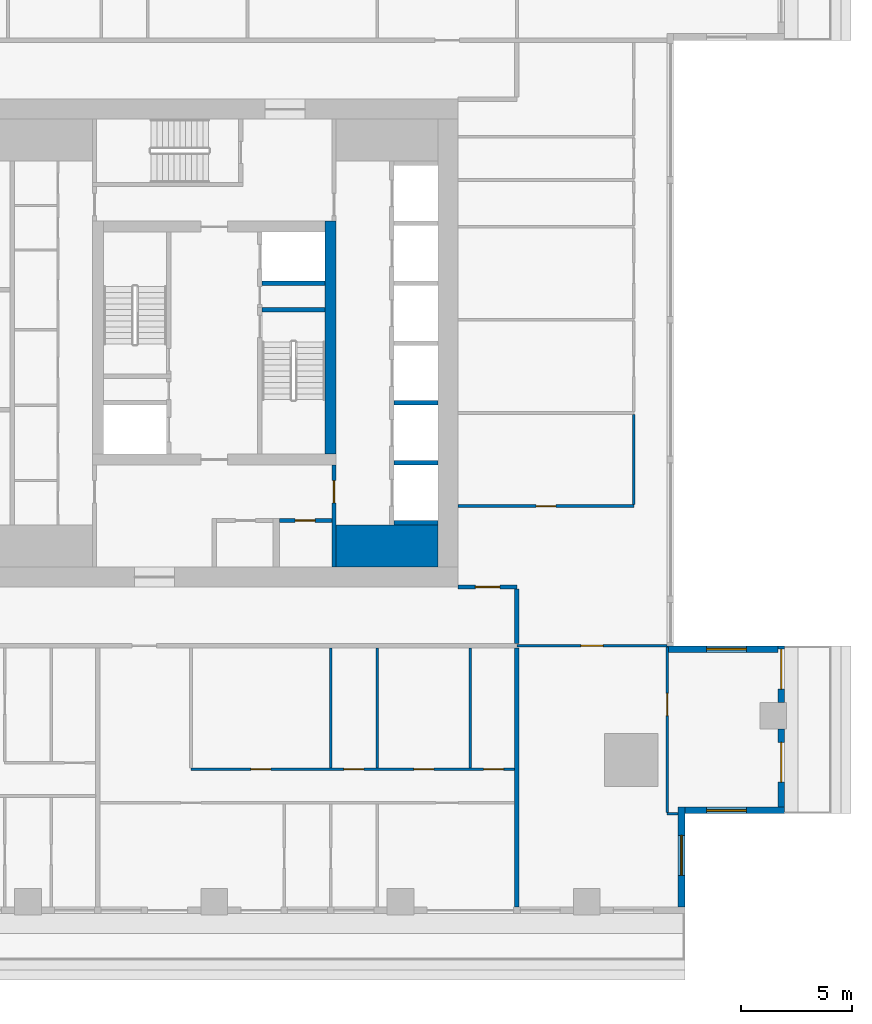
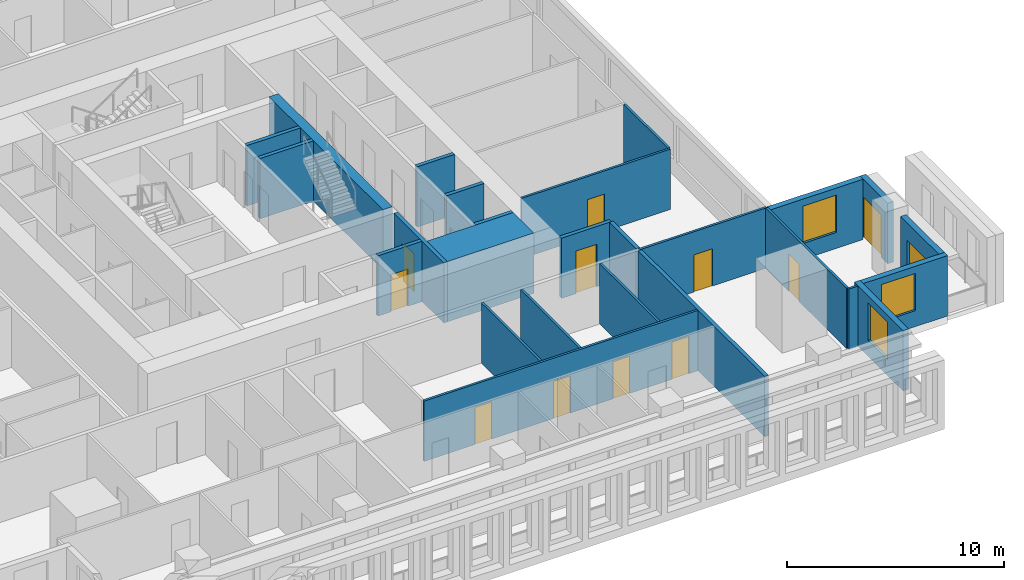
# One storey, part 5 of 15: 26 walls, 12 doors, 3 windows, 15 openings.
"""IFC4 building model written with IfcOpenShell, lengths in metres."""

import ifcopenshell
import ifcopenshell.guid

model = None  # the IFC model being written
_history = None  # IfcOwnerHistory: only IFC2X3 demands one
_inside = {}  # id of a spatial element -> (the spatial element, [elements in it])
_under = {}  # id of a project, library or spatial element -> (it, [spatial elements below it])
_declared = {}  # id of a project -> (the project, [libraries it declares])
_typed = {}  # id of a type object -> (the type object, [elements of that type])
_made_of = {}  # id of a material, layer set ... -> (it, [elements and type objects made of it])


def new_model(schema):
    """Start an empty IFC model of exactly this schema.

    Asked for "IFC4X3", IfcOpenShell would pick the latest addendum, in which some entities
    have other attributes; the version numbers below select the first issue.
    IFC2X3 requires an IfcOwnerHistory on every rooted entity: one is made here for all.
    """
    global model, _history
    if schema == "IFC4X3":
        model = ifcopenshell.file(schema_version=(4, 3, 0, 0))
    else:
        model = ifcopenshell.file(schema=schema)
    _inside.clear()
    _under.clear()
    _declared.clear()
    _typed.clear()
    _made_of.clear()
    _history = None
    if model.schema == "IFC2X3":
        org = make("IfcOrganization", Name="unknown")
        user = make(
            "IfcPersonAndOrganization",
            ThePerson=make("IfcPerson", FamilyName="unknown"),
            TheOrganization=org,
        )
        app = make(
            "IfcApplication",
            ApplicationDeveloper=org,
            Version="unknown",
            ApplicationFullName="unknown",
            ApplicationIdentifier="unknown",
        )
        _history = make(
            "IfcOwnerHistory",
            OwningUser=user,
            OwningApplication=app,
            ChangeAction="ADDED",
            CreationDate=0,
        )
    return model


def make(cls, **values):
    """One entity of the class cls with the attributes given. An attribute that is None is left unset."""
    return model.create_entity(
        cls, **{name: value for name, value in values.items() if value is not None}
    )


def rooted(cls, **values):
    """An entity with a GlobalId (a new one), such as an element, a storey or a relation."""
    return make(cls, GlobalId=ifcopenshell.guid.new(), OwnerHistory=_history, **values)


def si_unit(unit_type, name, prefix=None):
    """IfcSIUnit, for example si_unit("LENGTHUNIT", "METRE", prefix="MILLI")."""
    return make("IfcSIUnit", UnitType=unit_type, Prefix=prefix, Name=name)


def assignment(units):
    """IfcUnitAssignment: the units of a project."""
    return None if units is None else make("IfcUnitAssignment", Units=units)


def point(xyz):
    """IfcCartesianPoint."""
    return None if xyz is None else make("IfcCartesianPoint", Coordinates=xyz)


def direction(xyz):
    """IfcDirection."""
    return None if xyz is None else make("IfcDirection", DirectionRatios=xyz)


def frame(location, z_axis=None, x_axis=None):
    """IfcAxis2Placement3D, a coordinate frame: its origin and axes. An axis left out is left unset."""
    return make(
        "IfcAxis2Placement3D",
        Location=point(location),
        Axis=direction(z_axis),
        RefDirection=direction(x_axis),
    )


def frame_2d(location, x_axis=None):
    """IfcAxis2Placement2D, a coordinate frame in the plane: its origin and x axis."""
    return make(
        "IfcAxis2Placement2D", Location=point(location), RefDirection=direction(x_axis)
    )


def origin():
    """The frame at (0, 0, 0) with its axes left unset."""
    return frame((0.0, 0.0, 0.0))


def place(relative_to, where):
    """IfcLocalPlacement: puts the frame where relative to a parent placement (None: the world)."""
    return make(
        "IfcLocalPlacement", PlacementRelTo=relative_to, RelativePlacement=where
    )


def context(
    kind, dimensions, precision=None, world=None, true_north=None, identifier=None
):
    """IfcGeometricRepresentationContext, for example the 3D "Model" context."""
    return make(
        "IfcGeometricRepresentationContext",
        ContextIdentifier=identifier,
        ContextType=kind,
        CoordinateSpaceDimension=dimensions,
        Precision=precision,
        WorldCoordinateSystem=world,
        TrueNorth=true_north,
    )


def subcontext(parent, identifier, kind, view, scale=None):
    """IfcGeometricRepresentationSubContext, for example "Body" below "Model"."""
    return make(
        "IfcGeometricRepresentationSubContext",
        ContextIdentifier=identifier,
        ContextType=kind,
        ParentContext=parent,
        TargetScale=scale,
        TargetView=view,
    )


def project(units=None, contexts=None):
    """IfcProject with its units and contexts."""
    return rooted(
        "IfcProject",
        Name="project",
        RepresentationContexts=contexts,
        UnitsInContext=assignment(units),
    )


def spatial(cls, under=None, at=None, **own):
    """A site, building, storey or space (cls), placed at a placement, below another one or the project."""
    s = rooted(cls, ObjectPlacement=at, **own)
    if under is not None:
        _under.setdefault(under.id(), (under, []))[1].append(s)
    return s


def profile(cls, at=None, kind="AREA", **sizes):
    """A parametric profile (cls). Its sizes go by their IFC names, for example OverallWidth=200.0."""
    return make(cls, ProfileType=kind, Position=at, **sizes)


def rectangle(**sizes):
    """IfcRectangleProfileDef."""
    return profile("IfcRectangleProfileDef", **sizes)


def extrude(swept, where, along, depth):
    """IfcExtrudedAreaSolid: the profile swept, set in the frame where, extruded along a direction by depth."""
    return make(
        "IfcExtrudedAreaSolid",
        SweptArea=swept,
        Position=where,
        ExtrudedDirection=direction(along),
        Depth=depth,
    )


def shape(context_of_items, identifier, shape_type, items):
    """IfcShapeRepresentation: the items that make up one representation, for example the "Body"."""
    return make(
        "IfcShapeRepresentation",
        ContextOfItems=context_of_items,
        RepresentationIdentifier=identifier,
        RepresentationType=shape_type,
        Items=items,
    )


def material(Name=None, Category=None):
    """IfcMaterial."""
    return make("IfcMaterial", Name=Name, Category=Category)


def layer(
    of_material, thickness, ventilated=None, Name=None, Category=None, Priority=None
):
    """IfcMaterialLayer: one layer of a wall or slab, of a material (None: an air gap)."""
    return make(
        "IfcMaterialLayer",
        Material=of_material,
        LayerThickness=thickness,
        IsVentilated=ventilated,
        Name=Name,
        Category=Category,
        Priority=Priority,
    )


def layer_set(layers, Name=None):
    """IfcMaterialLayerSet."""
    return make("IfcMaterialLayerSet", MaterialLayers=layers, LayerSetName=Name)


def made_of(thing, what):
    """Note that an element or type object is made of a material, layer set ...; save() writes the relation."""
    if what is not None:
        _made_of.setdefault(what.id(), (what, []))[1].append(thing)
    return thing


def type_object(cls, material=None, **own):
    """A type object (cls), such as IfcWallType, which elements share."""
    return made_of(rooted(cls, **own), material)


def element(
    cls,
    number,
    at=None,
    inside=None,
    cuts=None,
    type_object=None,
    material=None,
    context=None,
    identifier="Body",
    shape_type=None,
    held_by="IfcProductDefinitionShape",
    body=None,
    shapes=None,
    **own,
):
    """One element of the class cls, such as IfcWall. Its Tag is "e" and its number.

    at: its placement. inside: the storey or other place that contains it. cuts: it is an
    opening in that element (IfcRelVoidsElement). A single representation is given by context,
    identifier, shape_type and body (its items); several are given by shapes. held_by: the class
    of the entity that holds the representations. save() writes the other relations.
    """
    e = rooted(cls, Tag="e%d" % number, ObjectPlacement=at, **own)
    if body is not None:
        shapes = [shape(context, identifier, shape_type, body)]
    if shapes is not None:
        e.Representation = make(held_by, Representations=shapes)
    if inside is not None:
        _inside.setdefault(inside.id(), (inside, []))[1].append(e)
    if cuts is not None:
        rooted(
            "IfcRelVoidsElement", RelatingBuildingElement=cuts, RelatedOpeningElement=e
        )
    if type_object is not None:
        _typed.setdefault(type_object.id(), (type_object, []))[1].append(e)
    return made_of(e, material)


def fill(opening, filler):
    """IfcRelFillsElement: the door or window that sits in an opening."""
    return rooted(
        "IfcRelFillsElement",
        RelatingOpeningElement=opening,
        RelatedBuildingElement=filler,
    )


def aggregate(whole, parts):
    """IfcRelAggregates: a whole, such as a stair, and the parts it consists of."""
    return rooted("IfcRelAggregates", RelatingObject=whole, RelatedObjects=parts)


def save(model, path):
    """Write the relations noted so far, then the file.

    IfcRelAggregates (storeys below a building ...), IfcRelContainedInSpatialStructure (elements
    in a storey), IfcRelDefinesByType, IfcRelAssociatesMaterial and IfcRelDeclares: one each for
    every whole, place, type object, material and project.
    """
    for whole, parts in _under.values():
        aggregate(whole, parts)
    for where, things in _inside.values():
        rooted(
            "IfcRelContainedInSpatialStructure",
            RelatedElements=things,
            RelatingStructure=where,
        )
    for kind, things in _typed.values():
        rooted("IfcRelDefinesByType", RelatedObjects=things, RelatingType=kind)
    for what, things in _made_of.values():
        rooted("IfcRelAssociatesMaterial", RelatedObjects=things, RelatingMaterial=what)
    for by, libraries in _declared.values():
        rooted("IfcRelDeclares", RelatingContext=by, RelatedDefinitions=libraries)
    model.write(path)


model = new_model("IFC4")

# Units and contexts
model_context = context("Model", 3, precision=1e-05, world=origin(), true_north=direction((0.0, 1.0)))
body_context = subcontext(model_context, "Body", "Model", "MODEL_VIEW")
ifc_project = project(units=[si_unit("LENGTHUNIT", "METRE"), si_unit("AREAUNIT", "SQUARE_METRE"), si_unit("VOLUMEUNIT", "CUBIC_METRE"), si_unit("PLANEANGLEUNIT", "RADIAN"), si_unit("MASSUNIT", "GRAM", prefix="KILO")], contexts=[model_context])

# Site, building, storey
site_placement = place(None, origin())
site = spatial("IfcSite", under=ifc_project, at=site_placement, CompositionType="ELEMENT")
building_placement = place(site_placement, origin())
building = spatial("IfcBuilding", under=site, at=building_placement, Name="Khepri Terraces", CompositionType="ELEMENT")
storey_placement = place(building_placement, frame((0.0, 0.0, 231.300048828125)))
storey = spatial("IfcBuildingStorey", under=building, at=storey_placement, Name="L55", CompositionType="ELEMENT", Elevation=231.300048828125)

# Walls
ifc_material_1 = material(Name="Concrete C50/60", Category="concrete")
ifc_layer_1 = layer(ifc_material_1, 1.89990234375, Name="Concrete C50/60", Category="concrete")
ifc_layer_set_1 = layer_set([ifc_layer_1], Name="Concrete C50/60")
wall_type_1 = type_object("IfcWallType", Name="Core wall 1900 C50/60", PredefinedType="SHEAR", material=ifc_layer_set_1)
wall_1_placement = place(storey_placement, frame((5.5, -9.14990234375, 0.0), z_axis=(0.0, 0.0, 1.0), x_axis=(1.0, 0.0, 0.0)))
element("IfcWall", 1, at=wall_1_placement, inside=storey, type_object=wall_type_1, Name="Core wall PR02 L55", PredefinedType="SHEAR", context=body_context, shape_type="SweptSolid", body=[
    extrude(rectangle(XDim=4.60009765625, YDim=1.89990234375, at=frame_2d((2.300048828125, 0.0))), origin(), (0.0, 0.0, 1.0), 3.39990234375),
])
ifc_layer_2 = layer(ifc_material_1, 0.199951171875, Name="Concrete C50/60", Category="concrete")
ifc_layer_set_2 = layer_set([ifc_layer_2], Name="Concrete C50/60")
wall_type_2 = type_object("IfcWallType", Name="Core wall 200 C50/60", PredefinedType="SHEAR", material=ifc_layer_set_2)
wall_2_placement = place(storey_placement, frame((2.14990234375, 1.5, 0.0), z_axis=(0.0, 0.0, 1.0), x_axis=(1.0, 0.0, 0.0)))
element("IfcWall", 2, at=wall_2_placement, inside=storey, type_object=wall_type_2, Name="Core wall ST04 L55", PredefinedType="SHEAR", context=body_context, shape_type="SweptSolid", body=[
    extrude(rectangle(XDim=2.85009765625, YDim=0.199951171875, at=frame_2d((1.425048828125, 0.0))), origin(), (0.0, 0.0, 1.0), 3.39990234375),
])
for number, where, z_axis, x_axis, name in (
    (3, (8.10009765625, -8.10009765625, 0.0), (0.0, 0.0, 1.0), (1.0, 0.0, 0.0), "Core wall SH03 L55"),
    (4, (8.10009765625, -5.39990234375, 0.0), (0.0, 0.0, 1.0), (1.0, 0.0, 0.0), "Core wall SH04 L55"),
    (5, (8.10009765625, -2.699951171875, 0.0), (0.0, 0.0, 1.0), (1.0, 0.0, 0.0), "Core wall SH08 L55"),
):
    element("IfcWall", number, at=place(storey_placement, frame(where, z_axis=z_axis, x_axis=x_axis)), inside=storey, type_object=wall_type_2, Name=name, PredefinedType="SHEAR", context=body_context, shape_type="SweptSolid", body=[
        extrude(rectangle(XDim=2.0, YDim=0.199951171875, at=frame_2d((1.0, 0.0))), origin(), (0.0, 0.0, 1.0), 3.39990234375),
    ])
wall_3_placement = place(storey_placement, frame((2.14990234375, 2.699951171875, 0.0), z_axis=(0.0, 0.0, 1.0), x_axis=(1.0, 0.0, 0.0)))
element("IfcWall", 6, at=wall_3_placement, inside=storey, type_object=wall_type_2, Name="Core wall SH12 L55", PredefinedType="SHEAR", context=body_context, shape_type="SweptSolid", body=[
    extrude(rectangle(XDim=2.85009765625, YDim=0.199951171875, at=frame_2d((1.425048828125, 0.0))), origin(), (0.0, 0.0, 1.0), 3.39990234375),
])
ifc_layer_3 = layer(ifc_material_1, 0.5, Name="Concrete C50/60", Category="concrete")
ifc_layer_set_3 = layer_set([ifc_layer_3], Name="Concrete C50/60")
wall_type_3 = type_object("IfcWallType", Name="Core wall 500 C50/60", PredefinedType="SHEAR", material=ifc_layer_set_3)
wall_4_placement = place(storey_placement, frame((5.25, -5.0, 0.0), z_axis=(0.0, 0.0, 1.0), x_axis=(0.0, 1.0, 0.0)))
element("IfcWall", 7, at=wall_4_placement, inside=storey, type_object=wall_type_3, Name="Core wall BX03 L55", PredefinedType="SHEAR", context=body_context, shape_type="SweptSolid", body=[
    extrude(rectangle(XDim=10.5, YDim=0.5, at=frame_2d((5.25, 0.0))), origin(), (0.0, 0.0, 1.0), 3.39990234375),
])

# Wall, opening, door
ifc_material_2 = material(Name="Fire-rated gypsum board partition")
ifc_layer_4 = layer(ifc_material_2, 0.199951171875, Name="Fire-rated gypsum board partition")
ifc_layer_set_4 = layer_set([ifc_layer_4], Name="Fire-rated gypsum board partition")
wall_type_4 = type_object("IfcWallType", Name="WL-CORE-PART-200", PredefinedType="PARTITIONING", material=ifc_layer_set_4)
wall_5_placement = place(storey_placement, frame((5.39990234375, -10.10009765625, 0.0), z_axis=(0.0, 0.0, 1.0), x_axis=(0.0, 1.0, 0.0)))
wall_5 = element("IfcWall", 8, at=wall_5_placement, inside=storey, type_object=wall_type_4, Name="Core partition PT04 L55", PredefinedType="PARTITIONING", context=body_context, shape_type="SweptSolid", body=[
    extrude(rectangle(XDim=4.60009765625, YDim=0.199951171875, at=frame_2d((2.300048828125, 0.0))), origin(), (0.0, 0.0, 1.0), 3.39990234375),
])
opening_1_placement = place(wall_5_placement, frame((2.89990234375, 0.0, 0.0)))
opening_1 = element("IfcOpeningElement", 9, at=opening_1_placement, cuts=wall_5, Name="Opening L55-C19", PredefinedType="OPENING", context=body_context, shape_type="SweptSolid", body=[
    extrude(rectangle(XDim=1.0, YDim=2.10009765625, at=frame_2d((0.5, 1.050048828125))), frame((0.0, 0.10986328125, 0.0), z_axis=(0.0, -1.0, 0.0), x_axis=(1.0, 0.0, 0.0)), (0.0, 0.0, 1.0), 0.219970703125),
])
ifc_material_3 = material(Name="Painted steel", Category="steel")
door_type_1 = type_object("IfcDoorType", Name="DR-CORE-LOBBY-1000", OperationType="NOTDEFINED", PredefinedType="DOOR", material=ifc_material_3)
door_1_placement = place(opening_1_placement, origin())
door_1 = element("IfcDoor", 10, at=door_1_placement, inside=storey, type_object=door_type_1, Name="Lobby door L55-C19", OperationType="SINGLE_SWING_RIGHT", OverallHeight=2.10009765625, OverallWidth=1.0, PredefinedType="DOOR", context=body_context, shape_type="SweptSolid", body=[
    extrude(rectangle(XDim=1.0, YDim=2.10009765625, at=frame_2d((0.5, 1.050048828125))), frame((0.0, 0.02490234375, 0.0), z_axis=(0.0, -1.0, 0.0), x_axis=(1.0, 0.0, 0.0)), (0.0, 0.0, 1.0), 0.050048828125),
])
fill(opening_1, door_1)

wall_6_placement = place(storey_placement, frame((2.949951171875, -8.0, 0.0), z_axis=(0.0, 0.0, 1.0), x_axis=(1.0, 0.0, 0.0)))
wall_6 = element("IfcWall", 11, at=wall_6_placement, inside=storey, type_object=wall_type_4, Name="Core partition PT07 L55", PredefinedType="PARTITIONING", context=body_context, shape_type="SweptSolid", body=[
    extrude(rectangle(XDim=2.35009765625, YDim=0.199951171875, at=frame_2d((1.175048828125, 0.0))), origin(), (0.0, 0.0, 1.0), 3.39990234375),
])
opening_2_placement = place(wall_6_placement, frame((0.699951171875, 0.0, 0.0)))
opening_2 = element("IfcOpeningElement", 12, at=opening_2_placement, cuts=wall_6, Name="Opening L55-C23", PredefinedType="OPENING", context=body_context, shape_type="SweptSolid", body=[
    extrude(rectangle(XDim=0.89990234375, YDim=2.10009765625, at=frame_2d((0.449951171875, 1.050048828125))), frame((0.0, 0.10986328125, 0.0), z_axis=(0.0, -1.0, 0.0), x_axis=(1.0, 0.0, 0.0)), (0.0, 0.0, 1.0), 0.219970703125),
])
door_type_2 = type_object("IfcDoorType", Name="DR-CORE-SERVICE-900", OperationType="NOTDEFINED", PredefinedType="DOOR", material=ifc_material_3)
door_2_placement = place(opening_2_placement, frame((0.89990234375, 0.0, 0.0), z_axis=(0.0, 0.0, 1.0), x_axis=(-1.0, 0.0, 0.0)))
door_2 = element("IfcDoor", 13, at=door_2_placement, inside=storey, type_object=door_type_2, Name="Service room door L55-C23", OperationType="SINGLE_SWING_RIGHT", OverallHeight=2.10009765625, OverallWidth=0.89990234375, PredefinedType="DOOR", context=body_context, shape_type="SweptSolid", body=[
    extrude(rectangle(XDim=0.89990234375, YDim=2.10009765625, at=frame_2d((0.449951171875, 1.050048828125))), frame((0.0, 0.02490234375, 0.0), z_axis=(0.0, -1.0, 0.0), x_axis=(1.0, 0.0, 0.0)), (0.0, 0.0, 1.0), 0.050048828125),
])
fill(opening_2, door_2)

# Walls
ifc_material_4 = material(Name="Fire-rated gypsum plasterboard partition, mineral wool")
ifc_layer_5 = layer(ifc_material_4, 0.199951171875, Name="Fire-rated gypsum plasterboard partition, mineral wool")
ifc_layer_set_5 = layer_set([ifc_layer_5], Name="Fire-rated gypsum plasterboard partition, mineral wool")
wall_type_5 = type_object("IfcWallType", Name="WL-CORR-200", PredefinedType="PARTITIONING", material=ifc_layer_set_5)
wall_7_placement = place(storey_placement, frame((13.64990234375, -25.419921875, 0.0), z_axis=(0.0, 0.0, 1.0), x_axis=(0.0, 1.0, 0.0)))
element("IfcWall", 14, at=wall_7_placement, inside=storey, type_object=wall_type_5, Name="Partition P-008 L55", PredefinedType="PARTITIONING", context=body_context, shape_type="SweptSolid", body=[
    extrude(rectangle(XDim=11.669921875, YDim=0.199951171875, at=frame_2d((5.8349609375, 0.0))), origin(), (0.0, 0.0, 1.0), 3.39990234375),
])
wall_8_placement = place(storey_placement, frame((13.64990234375, -13.550048828125, 0.0), z_axis=(0.0, 0.0, 1.0), x_axis=(0.0, 1.0, 0.0)))
element("IfcWall", 15, at=wall_8_placement, inside=storey, type_object=wall_type_5, Name="Partition P-029 L55", PredefinedType="PARTITIONING", context=body_context, shape_type="SweptSolid", body=[
    extrude(rectangle(XDim=2.449951171875, YDim=0.199951171875, at=frame_2d((1.22509765625, 0.0))), origin(), (0.0, 0.0, 1.0), 3.39990234375),
])

# Wall, opening, door
wall_9_placement = place(storey_placement, frame((11.0, -11.0, 0.0), z_axis=(0.0, 0.0, 1.0), x_axis=(1.0, 0.0, 0.0)))
wall_9 = element("IfcWall", 16, at=wall_9_placement, inside=storey, type_object=wall_type_5, Name="Partition P-034 L55", PredefinedType="PARTITIONING", context=body_context, shape_type="SweptSolid", body=[
    extrude(rectangle(XDim=2.64990234375, YDim=0.199951171875, at=frame_2d((1.324951171875, 0.0))), origin(), (0.0, 0.0, 1.0), 3.39990234375),
])
opening_3_placement = place(wall_9_placement, frame((0.77490234375, 0.0, 0.0)))
opening_3 = element("IfcOpeningElement", 17, at=opening_3_placement, cuts=wall_9, Name="Opening D1", PredefinedType="OPENING", context=body_context, shape_type="SweptSolid", body=[
    extrude(rectangle(XDim=1.10009765625, YDim=2.39990234375, at=frame_2d((0.550048828125, 1.199951171875))), frame((0.0, 0.10986328125, 0.0), z_axis=(0.0, -1.0, 0.0), x_axis=(1.0, 0.0, 0.0)), (0.0, 0.0, 1.0), 0.219970703125),
])
ifc_material_5 = material(Name="Solid-core timber door leaf, flat entrance door", Category="wood")
door_type_3 = type_object("IfcDoorType", Name="DR-ENT-1100", OperationType="NOTDEFINED", PredefinedType="DOOR", material=ifc_material_5)
door_3_placement = place(opening_3_placement, origin())
door_3 = element("IfcDoor", 18, at=door_3_placement, inside=storey, type_object=door_type_3, Name="Flat B1 entrance door", OperationType="SINGLE_SWING_LEFT", OverallHeight=2.39990234375, OverallWidth=1.10009765625, PredefinedType="DOOR", context=body_context, shape_type="SweptSolid", body=[
    extrude(rectangle(XDim=1.10009765625, YDim=2.39990234375, at=frame_2d((0.550048828125, 1.199951171875))), frame((0.0, 0.02490234375, 0.0), z_axis=(0.0, -1.0, 0.0), x_axis=(1.0, 0.0, 0.0)), (0.0, 0.0, 1.0), 0.050048828125),
])
fill(opening_3, door_3)

# Wall, opening, window
ifc_material_6 = material(Name="Precast concrete C50/60 warm stone", Category="masonry")
ifc_layer_6 = layer(ifc_material_6, 0.300048828125, Name="Precast concrete C50/60 warm stone", Category="masonry")
ifc_layer_set_6 = layer_set([ifc_layer_6], Name="Precast concrete C50/60 warm stone")
wall_type_6 = type_object("IfcWallType", Name="WL-EXT-PRECAST-300", PredefinedType="STANDARD", material=ifc_layer_set_6)
wall_10_placement = place(storey_placement, frame((21.219970703125, -21.070068359375, 0.0), z_axis=(0.0, 0.0, 1.0), x_axis=(1.0, 0.0, 0.0)))
wall_10 = element("IfcWall", 19, at=wall_10_placement, inside=storey, type_object=wall_type_6, Name="External wall L55 S", PredefinedType="STANDARD", context=body_context, shape_type="SweptSolid", body=[
    extrude(rectangle(XDim=4.5, YDim=0.300048828125, at=frame_2d((2.25, 0.0))), origin(), (0.0, 0.0, 1.0), 3.39990234375),
])
opening_4_placement = place(wall_10_placement, frame((0.97998046875, 0.0, 0.89990234375)))
opening_4 = element("IfcOpeningElement", 20, at=opening_4_placement, cuts=wall_10, Name="Opening W1", PredefinedType="OPENING", context=body_context, shape_type="SweptSolid", body=[
    extrude(rectangle(XDim=1.800048828125, YDim=2.10009765625, at=frame_2d((0.89990234375, 1.050048828125))), frame((0.0, 0.16015625, 0.0), z_axis=(0.0, -1.0, 0.0), x_axis=(1.0, 0.0, 0.0)), (0.0, 0.0, 1.0), 0.320068359375),
])
ifc_material_7 = material(Name="Clear glass", Category="glass")
window_type = type_object("IfcWindowType", Name="WIN-RES-1800x2100", PartitioningType="SINGLE_PANEL", PredefinedType="WINDOW", material=ifc_material_7)
window_1_placement = place(opening_4_placement, origin())
window_1 = element("IfcWindow", 21, at=window_1_placement, inside=storey, type_object=window_type, Name="Window L55 S", OverallHeight=2.10009765625, OverallWidth=1.800048828125, PartitioningType="SINGLE_PANEL", PredefinedType="WINDOW", context=body_context, shape_type="SweptSolid", body=[
    extrude(rectangle(XDim=1.800048828125, YDim=2.10009765625, at=frame_2d((0.89990234375, 1.050048828125))), frame((0.0, 0.030029296875, 0.0), z_axis=(0.0, -1.0, 0.0), x_axis=(1.0, 0.0, 0.0)), (0.0, 0.0, 1.0), 0.06005859375),
])
fill(opening_4, window_1)

# Wall, opening, door
wall_11_placement = place(storey_placement, frame((25.570068359375, -20.919921875, 0.0), z_axis=(0.0, 0.0, 1.0), x_axis=(0.0, 1.0, 0.0)))
wall_11 = element("IfcWall", 22, at=wall_11_placement, inside=storey, type_object=wall_type_6, Name="External wall L55 E", PredefinedType="STANDARD", context=body_context, shape_type="SweptSolid", body=[
    extrude(rectangle(XDim=3.52001953125, YDim=0.300048828125, at=frame_2d((1.760009765625, 0.0))), origin(), (0.0, 0.0, 1.0), 3.39990234375),
])
opening_5_placement = place(wall_11_placement, frame((1.1201171875, 0.0, 0.0)))
opening_5 = element("IfcOpeningElement", 23, at=opening_5_placement, cuts=wall_11, Name="Opening ED-L55-01", PredefinedType="OPENING", context=body_context, shape_type="SweptSolid", body=[
    extrude(rectangle(XDim=1.800048828125, YDim=2.39990234375, at=frame_2d((0.89990234375, 1.199951171875))), frame((0.0, 0.16015625, 0.0), z_axis=(0.0, -1.0, 0.0), x_axis=(1.0, 0.0, 0.0)), (0.0, 0.0, 1.0), 0.320068359375),
])
ifc_material_8 = material(Name="Anodised aluminium bronze glazed door", Category="aluminium")
door_type_4 = type_object("IfcDoorType", Name="DR-BAL-SLIDE-1800x2400", OperationType="NOTDEFINED", PredefinedType="DOOR", material=ifc_material_8)
door_4_placement = place(opening_5_placement, origin())
door_4 = element("IfcDoor", 24, at=door_4_placement, inside=storey, type_object=door_type_4, Name="Balcony door L55 E", OperationType="SLIDING_TO_RIGHT", OverallHeight=2.39990234375, OverallWidth=1.800048828125, PredefinedType="DOOR", context=body_context, shape_type="SweptSolid", body=[
    extrude(rectangle(XDim=1.800048828125, YDim=2.39990234375, at=frame_2d((0.89990234375, 1.199951171875))), frame((0.0, 0.02490234375, 0.0), z_axis=(0.0, -1.0, 0.0), x_axis=(1.0, 0.0, 0.0)), (0.0, 0.0, 1.0), 0.050048828125),
])
fill(opening_5, door_4)

wall_12_placement = place(storey_placement, frame((25.570068359375, -16.199951171875, 0.0), z_axis=(0.0, 0.0, 1.0), x_axis=(0.0, 1.0, 0.0)))
wall_12 = element("IfcWall", 25, at=wall_12_placement, inside=storey, type_object=wall_type_6, Name="External wall L55 E", PredefinedType="STANDARD", context=body_context, shape_type="SweptSolid", body=[
    extrude(rectangle(XDim=2.550048828125, YDim=0.300048828125, at=frame_2d((1.27490234375, 0.0))), origin(), (0.0, 0.0, 1.0), 3.39990234375),
])
opening_6_placement = place(wall_12_placement, frame((0.60009765625, 0.0, 0.0)))
opening_6 = element("IfcOpeningElement", 26, at=opening_6_placement, cuts=wall_12, Name="Opening ED-L55-02", PredefinedType="OPENING", context=body_context, shape_type="SweptSolid", body=[
    extrude(rectangle(XDim=1.800048828125, YDim=2.39990234375, at=frame_2d((0.89990234375, 1.199951171875))), frame((0.0, 0.16015625, 0.0), z_axis=(0.0, -1.0, 0.0), x_axis=(1.0, 0.0, 0.0)), (0.0, 0.0, 1.0), 0.320068359375),
])
door_5_placement = place(opening_6_placement, origin())
door_5 = element("IfcDoor", 27, at=door_5_placement, inside=storey, type_object=door_type_4, Name="Balcony door L55 E", OperationType="SLIDING_TO_LEFT", OverallHeight=2.39990234375, OverallWidth=1.800048828125, PredefinedType="DOOR", context=body_context, shape_type="SweptSolid", body=[
    extrude(rectangle(XDim=1.800048828125, YDim=2.39990234375, at=frame_2d((0.89990234375, 1.199951171875))), frame((0.0, 0.02490234375, 0.0), z_axis=(0.0, -1.0, 0.0), x_axis=(1.0, 0.0, 0.0)), (0.0, 0.0, 1.0), 0.050048828125),
])
fill(opening_6, door_5)

# Wall, opening, window
wall_13_placement = place(storey_placement, frame((25.419921875, -13.800048828125, 0.0), z_axis=(0.0, 0.0, 1.0), x_axis=(-1.0, 0.0, 0.0)))
wall_13 = element("IfcWall", 28, at=wall_13_placement, inside=storey, type_object=wall_type_6, Name="External wall L55 N", PredefinedType="STANDARD", context=body_context, shape_type="SweptSolid", body=[
    extrude(rectangle(XDim=5.0, YDim=0.300048828125, at=frame_2d((2.5, 0.0))), origin(), (0.0, 0.0, 1.0), 3.39990234375),
])
opening_7_placement = place(wall_13_placement, frame((1.419921875, 0.0, 0.89990234375)))
opening_7 = element("IfcOpeningElement", 29, at=opening_7_placement, cuts=wall_13, Name="Opening W1", PredefinedType="OPENING", context=body_context, shape_type="SweptSolid", body=[
    extrude(rectangle(XDim=1.800048828125, YDim=2.10009765625, at=frame_2d((0.89990234375, 1.050048828125))), frame((0.0, 0.16015625, 0.0), z_axis=(0.0, -1.0, 0.0), x_axis=(1.0, 0.0, 0.0)), (0.0, 0.0, 1.0), 0.320068359375),
])
window_2_placement = place(opening_7_placement, origin())
window_2 = element("IfcWindow", 30, at=window_2_placement, inside=storey, type_object=window_type, Name="Window L55 N", OverallHeight=2.10009765625, OverallWidth=1.800048828125, PartitioningType="SINGLE_PANEL", PredefinedType="WINDOW", context=body_context, shape_type="SweptSolid", body=[
    extrude(rectangle(XDim=1.800048828125, YDim=2.10009765625, at=frame_2d((0.89990234375, 1.050048828125))), frame((0.0, 0.030029296875, 0.0), z_axis=(0.0, -1.0, 0.0), x_axis=(1.0, 0.0, 0.0)), (0.0, 0.0, 1.0), 0.06005859375),
])
fill(opening_7, window_2)

wall_14_placement = place(storey_placement, frame((21.070068359375, -25.419921875, 0.0), z_axis=(0.0, 0.0, 1.0), x_axis=(0.0, 1.0, 0.0)))
wall_14 = element("IfcWall", 31, at=wall_14_placement, inside=storey, type_object=wall_type_6, Name="External wall L55 E", PredefinedType="STANDARD", context=body_context, shape_type="SweptSolid", body=[
    extrude(rectangle(XDim=4.5, YDim=0.300048828125, at=frame_2d((2.25, 0.0))), origin(), (0.0, 0.0, 1.0), 3.39990234375),
])
opening_8_placement = place(wall_14_placement, frame((1.419921875, 0.0, 0.89990234375)))
opening_8 = element("IfcOpeningElement", 32, at=opening_8_placement, cuts=wall_14, Name="Opening W1", PredefinedType="OPENING", context=body_context, shape_type="SweptSolid", body=[
    extrude(rectangle(XDim=1.800048828125, YDim=2.10009765625, at=frame_2d((0.89990234375, 1.050048828125))), frame((0.0, 0.16015625, 0.0), z_axis=(0.0, -1.0, 0.0), x_axis=(1.0, 0.0, 0.0)), (0.0, 0.0, 1.0), 0.320068359375),
])
window_3_placement = place(opening_8_placement, origin())
window_3 = element("IfcWindow", 33, at=window_3_placement, inside=storey, type_object=window_type, Name="Window L55 E", OverallHeight=2.10009765625, OverallWidth=1.800048828125, PartitioningType="SINGLE_PANEL", PredefinedType="WINDOW", context=body_context, shape_type="SweptSolid", body=[
    extrude(rectangle(XDim=1.800048828125, YDim=2.10009765625, at=frame_2d((0.89990234375, 1.050048828125))), frame((0.0, 0.030029296875, 0.0), z_axis=(0.0, -1.0, 0.0), x_axis=(1.0, 0.0, 0.0)), (0.0, 0.0, 1.0), 0.06005859375),
])
fill(opening_8, window_3)

# Wall
ifc_material_9 = material(Name="Gypsum plasterboard partition")
ifc_layer_7 = layer(ifc_material_9, 0.1201171875, Name="Gypsum plasterboard partition")
ifc_layer_set_7 = layer_set([ifc_layer_7], Name="Gypsum plasterboard partition")
wall_type_7 = type_object("IfcWallType", Name="WL-PART-120", PredefinedType="PARTITIONING", material=ifc_layer_set_7)
wall_15_placement = place(storey_placement, frame((20.419921875, -21.218994140625, 0.0), z_axis=(0.0, 0.0, 1.0), x_axis=(1.0, 0.0, 0.0)))
element("IfcWall", 34, at=wall_15_placement, inside=storey, type_object=wall_type_7, Name="Partition P-010 L55", PredefinedType="PARTITIONING", context=body_context, shape_type="SweptSolid", body=[
    extrude(rectangle(XDim=0.5009765625, YDim=0.1201171875, at=frame_2d((0.25048828125, 0.0))), origin(), (0.0, 0.0, 1.0), 3.39990234375),
])

# Wall, opening, door
wall_16_placement = place(storey_placement, frame((20.419921875, -21.158935546875, 0.0), z_axis=(0.0, 0.0, 1.0), x_axis=(0.0, 1.0, 0.0)))
wall_16 = element("IfcWall", 35, at=wall_16_placement, inside=storey, type_object=wall_type_7, Name="Partition P-011 L55", PredefinedType="PARTITIONING", context=body_context, shape_type="SweptSolid", body=[
    extrude(rectangle(XDim=7.447998046875, YDim=0.1201171875, at=frame_2d((3.72412109375, 0.0))), origin(), (0.0, 0.0, 1.0), 3.39990234375),
])
opening_9_placement = place(wall_16_placement, frame((4.359130859375, 0.0, 0.0)))
opening_9 = element("IfcOpeningElement", 36, at=opening_9_placement, cuts=wall_16, Name="Opening D2", PredefinedType="OPENING", context=body_context, shape_type="SweptSolid", body=[
    extrude(rectangle(XDim=1.0, YDim=2.10009765625, at=frame_2d((0.5, 1.050048828125))), frame((0.0, 0.070068359375, 0.0), z_axis=(0.0, -1.0, 0.0), x_axis=(1.0, 0.0, 0.0)), (0.0, 0.0, 1.0), 0.14013671875),
])
ifc_material_10 = material(Name="Timber door leaf, living room door", Category="wood")
door_type_5 = type_object("IfcDoorType", Name="DR-INT-1000", OperationType="NOTDEFINED", PredefinedType="DOOR", material=ifc_material_10)
door_6_placement = place(opening_9_placement, frame((1.0, 0.0, 0.0), z_axis=(0.0, 0.0, 1.0), x_axis=(-1.0, 0.0, 0.0)))
door_6 = element("IfcDoor", 37, at=door_6_placement, inside=storey, type_object=door_type_5, Name="Door Living Room", OperationType="SINGLE_SWING_LEFT", OverallHeight=2.10009765625, OverallWidth=1.0, PredefinedType="DOOR", context=body_context, shape_type="SweptSolid", body=[
    extrude(rectangle(XDim=1.0, YDim=2.10009765625, at=frame_2d((0.5, 1.050048828125))), frame((0.0, 0.02490234375, 0.0), z_axis=(0.0, -1.0, 0.0), x_axis=(1.0, 0.0, 0.0)), (0.0, 0.0, 1.0), 0.050048828125),
])
fill(opening_9, door_6)

# Wall, openings, doors
wall_17_placement = place(storey_placement, frame((-1.050048828125, -19.219970703125, 0.0), z_axis=(0.0, 0.0, 1.0), x_axis=(1.0, 0.0, 0.0)))
wall_17 = element("IfcWall", 38, at=wall_17_placement, inside=storey, type_object=wall_type_7, Name="Partition P-015 L55", PredefinedType="PARTITIONING", context=body_context, shape_type="SweptSolid", body=[
    extrude(rectangle(XDim=14.60009765625, YDim=0.1201171875, at=frame_2d((7.300048828125, 0.0))), origin(), (0.0, 0.0, 1.0), 3.39990234375),
])
opening_10_placement = place(wall_17_placement, frame((2.699951171875, 0.0, 0.0)))
opening_10 = element("IfcOpeningElement", 39, at=opening_10_placement, cuts=wall_17, Name="Opening D3", PredefinedType="OPENING", context=body_context, shape_type="SweptSolid", body=[
    extrude(rectangle(XDim=0.89990234375, YDim=2.10009765625, at=frame_2d((0.449951171875, 1.050048828125))), frame((0.0, 0.070068359375, 0.0), z_axis=(0.0, -1.0, 0.0), x_axis=(1.0, 0.0, 0.0)), (0.0, 0.0, 1.0), 0.14013671875),
])
opening_11_placement = place(wall_17_placement, frame((6.89990234375, 0.0, 0.0)))
opening_11 = element("IfcOpeningElement", 40, at=opening_11_placement, cuts=wall_17, Name="Opening D4", PredefinedType="OPENING", context=body_context, shape_type="SweptSolid", body=[
    extrude(rectangle(XDim=0.89990234375, YDim=2.10009765625, at=frame_2d((0.449951171875, 1.050048828125))), frame((0.0, 0.070068359375, 0.0), z_axis=(0.0, -1.0, 0.0), x_axis=(1.0, 0.0, 0.0)), (0.0, 0.0, 1.0), 0.14013671875),
])
opening_12_placement = place(wall_17_placement, frame((10.050048828125, 0.0, 0.0)))
opening_12 = element("IfcOpeningElement", 41, at=opening_12_placement, cuts=wall_17, Name="Opening D3", PredefinedType="OPENING", context=body_context, shape_type="SweptSolid", body=[
    extrude(rectangle(XDim=0.89990234375, YDim=2.10009765625, at=frame_2d((0.449951171875, 1.050048828125))), frame((0.0, 0.070068359375, 0.0), z_axis=(0.0, -1.0, 0.0), x_axis=(1.0, 0.0, 0.0)), (0.0, 0.0, 1.0), 0.14013671875),
])
opening_13_placement = place(wall_17_placement, frame((13.199951171875, 0.0, 0.0)))
opening_13 = element("IfcOpeningElement", 42, at=opening_13_placement, cuts=wall_17, Name="Opening D3", PredefinedType="OPENING", context=body_context, shape_type="SweptSolid", body=[
    extrude(rectangle(XDim=0.89990234375, YDim=2.10009765625, at=frame_2d((0.449951171875, 1.050048828125))), frame((0.0, 0.070068359375, 0.0), z_axis=(0.0, -1.0, 0.0), x_axis=(1.0, 0.0, 0.0)), (0.0, 0.0, 1.0), 0.14013671875),
])
ifc_material_11 = material(Name="Timber door leaf", Category="wood")
door_type_6 = type_object("IfcDoorType", Name="DR-INT-900", OperationType="NOTDEFINED", PredefinedType="DOOR", material=ifc_material_11)
door_7_placement = place(opening_10_placement, origin())
door_7 = element("IfcDoor", 43, at=door_7_placement, inside=storey, type_object=door_type_6, Name="Door Kitchen", OperationType="SINGLE_SWING_LEFT", OverallHeight=2.10009765625, OverallWidth=0.89990234375, PredefinedType="DOOR", context=body_context, shape_type="SweptSolid", body=[
    extrude(rectangle(XDim=0.89990234375, YDim=2.10009765625, at=frame_2d((0.449951171875, 1.050048828125))), frame((0.0, 0.02490234375, 0.0), z_axis=(0.0, -1.0, 0.0), x_axis=(1.0, 0.0, 0.0)), (0.0, 0.0, 1.0), 0.050048828125),
])
fill(opening_10, door_7)
door_8_placement = place(opening_12_placement, origin())
door_8 = element("IfcDoor", 44, at=door_8_placement, inside=storey, type_object=door_type_6, Name="Door Utility Room", OperationType="SINGLE_SWING_RIGHT", OverallHeight=2.10009765625, OverallWidth=0.89990234375, PredefinedType="DOOR", context=body_context, shape_type="SweptSolid", body=[
    extrude(rectangle(XDim=0.89990234375, YDim=2.10009765625, at=frame_2d((0.449951171875, 1.050048828125))), frame((0.0, 0.02490234375, 0.0), z_axis=(0.0, -1.0, 0.0), x_axis=(1.0, 0.0, 0.0)), (0.0, 0.0, 1.0), 0.050048828125),
])
fill(opening_12, door_8)
door_9_placement = place(opening_13_placement, origin())
door_9 = element("IfcDoor", 45, at=door_9_placement, inside=storey, type_object=door_type_6, Name="Door Utility Room", OperationType="SINGLE_SWING_RIGHT", OverallHeight=2.10009765625, OverallWidth=0.89990234375, PredefinedType="DOOR", context=body_context, shape_type="SweptSolid", body=[
    extrude(rectangle(XDim=0.89990234375, YDim=2.10009765625, at=frame_2d((0.449951171875, 1.050048828125))), frame((0.0, 0.02490234375, 0.0), z_axis=(0.0, -1.0, 0.0), x_axis=(1.0, 0.0, 0.0)), (0.0, 0.0, 1.0), 0.050048828125),
])
fill(opening_13, door_9)
ifc_material_12 = material(Name="Timber door leaf, moisture resistant", Category="wood")
door_type_7 = type_object("IfcDoorType", Name="DR-WET-900", OperationType="NOTDEFINED", PredefinedType="DOOR", material=ifc_material_12)
door_10_placement = place(opening_11_placement, origin())
door_10 = element("IfcDoor", 46, at=door_10_placement, inside=storey, type_object=door_type_7, Name="Door Guest Bathroom", OperationType="SINGLE_SWING_RIGHT", OverallHeight=2.10009765625, OverallWidth=0.89990234375, PredefinedType="DOOR", context=body_context, shape_type="SweptSolid", body=[
    extrude(rectangle(XDim=0.89990234375, YDim=2.10009765625, at=frame_2d((0.449951171875, 1.050048828125))), frame((0.0, 0.02490234375, 0.0), z_axis=(0.0, -1.0, 0.0), x_axis=(1.0, 0.0, 0.0)), (0.0, 0.0, 1.0), 0.050048828125),
])
fill(opening_11, door_10)

# Walls
for number, where, z_axis, x_axis, name in (
    (47, (5.25, -19.159912109375, 0.0), (0.0, 0.0, 1.0), (0.0, 1.0, 0.0), "Partition P-017 L55"),
    (48, (7.35009765625, -19.159912109375, 0.0), (0.0, 0.0, 1.0), (0.0, 1.0, 0.0), "Partition P-018 L55"),
    (49, (11.550048828125, -19.159912109375, 0.0), (0.0, 0.0, 1.0), (0.0, 1.0, 0.0), "Partition P-019 L55"),
):
    element("IfcWall", number, at=place(storey_placement, frame(where, z_axis=z_axis, x_axis=x_axis)), inside=storey, type_object=wall_type_7, Name=name, PredefinedType="PARTITIONING", context=body_context, shape_type="SweptSolid", body=[
        extrude(rectangle(XDim=5.409912109375, YDim=0.1201171875, at=frame_2d((2.705078125, 0.0))), origin(), (0.0, 0.0, 1.0), 3.39990234375),
    ])

# Wall, opening, door
wall_18_placement = place(storey_placement, frame((13.64990234375, -13.64990234375, 0.0), z_axis=(0.0, 0.0, 1.0), x_axis=(1.0, 0.0, 0.0)))
wall_18 = element("IfcWall", 50, at=wall_18_placement, inside=storey, type_object=wall_type_7, Name="Partition P-025 L55", PredefinedType="PARTITIONING", context=body_context, shape_type="SweptSolid", body=[
    extrude(rectangle(XDim=6.76904296875, YDim=0.1201171875, at=frame_2d((3.384521484375, 0.0))), origin(), (0.0, 0.0, 1.0), 3.39990234375),
])
opening_14_placement = place(wall_18_placement, frame((2.884521484375, 0.0, 0.0)))
opening_14 = element("IfcOpeningElement", 51, at=opening_14_placement, cuts=wall_18, Name="Opening D2", PredefinedType="OPENING", context=body_context, shape_type="SweptSolid", body=[
    extrude(rectangle(XDim=1.0, YDim=2.10009765625, at=frame_2d((0.5, 1.050048828125))), frame((0.0, 0.070068359375, 0.0), z_axis=(0.0, -1.0, 0.0), x_axis=(1.0, 0.0, 0.0)), (0.0, 0.0, 1.0), 0.14013671875),
])
door_11_placement = place(opening_14_placement, frame((1.0, 0.0, 0.0), z_axis=(0.0, 0.0, 1.0), x_axis=(-1.0, 0.0, 0.0)))
door_11 = element("IfcDoor", 52, at=door_11_placement, inside=storey, type_object=door_type_5, Name="Door Family Room", OperationType="SINGLE_SWING_LEFT", OverallHeight=2.10009765625, OverallWidth=1.0, PredefinedType="DOOR", context=body_context, shape_type="SweptSolid", body=[
    extrude(rectangle(XDim=1.0, YDim=2.10009765625, at=frame_2d((0.5, 1.050048828125))), frame((0.0, 0.02490234375, 0.0), z_axis=(0.0, -1.0, 0.0), x_axis=(1.0, 0.0, 0.0)), (0.0, 0.0, 1.0), 0.050048828125),
])
fill(opening_14, door_11)

wall_19_placement = place(storey_placement, frame((11.0, -7.35009765625, 0.0), z_axis=(0.0, 0.0, 1.0), x_axis=(1.0, 0.0, 0.0)))
wall_19 = element("IfcWall", 53, at=wall_19_placement, inside=storey, type_object=wall_type_7, Name="Partition P-038 L55", PredefinedType="PARTITIONING", context=body_context, shape_type="SweptSolid", body=[
    extrude(rectangle(XDim=7.919921875, YDim=0.1201171875, at=frame_2d((3.9599609375, 0.0))), origin(), (0.0, 0.0, 1.0), 3.39990234375),
])
opening_15_placement = place(wall_19_placement, frame((3.510009765625, 0.0, 0.0)))
opening_15 = element("IfcOpeningElement", 54, at=opening_15_placement, cuts=wall_19, Name="Opening D3", PredefinedType="OPENING", context=body_context, shape_type="SweptSolid", body=[
    extrude(rectangle(XDim=0.89990234375, YDim=2.10009765625, at=frame_2d((0.449951171875, 1.050048828125))), frame((0.0, 0.070068359375, 0.0), z_axis=(0.0, -1.0, 0.0), x_axis=(1.0, 0.0, 0.0)), (0.0, 0.0, 1.0), 0.14013671875),
])
door_12_placement = place(opening_15_placement, origin())
door_12 = element("IfcDoor", 55, at=door_12_placement, inside=storey, type_object=door_type_6, Name="Door Kitchen", OperationType="SINGLE_SWING_RIGHT", OverallHeight=2.10009765625, OverallWidth=0.89990234375, PredefinedType="DOOR", context=body_context, shape_type="SweptSolid", body=[
    extrude(rectangle(XDim=0.89990234375, YDim=2.10009765625, at=frame_2d((0.449951171875, 1.050048828125))), frame((0.0, 0.02490234375, 0.0), z_axis=(0.0, -1.0, 0.0), x_axis=(1.0, 0.0, 0.0)), (0.0, 0.0, 1.0), 0.050048828125),
])
fill(opening_15, door_12)

# Wall
wall_20_placement = place(storey_placement, frame((18.919921875, -7.2900390625, 0.0), z_axis=(0.0, 0.0, 1.0), x_axis=(0.0, 1.0, 0.0)))
element("IfcWall", 56, at=wall_20_placement, inside=storey, type_object=wall_type_7, Name="Partition P-040 L55", PredefinedType="PARTITIONING", context=body_context, shape_type="SweptSolid", body=[
    extrude(rectangle(XDim=4.080078125, YDim=0.1201171875, at=frame_2d((2.0400390625, 0.0))), origin(), (0.0, 0.0, 1.0), 3.39990234375),
])

save(model, "model.ifc")
